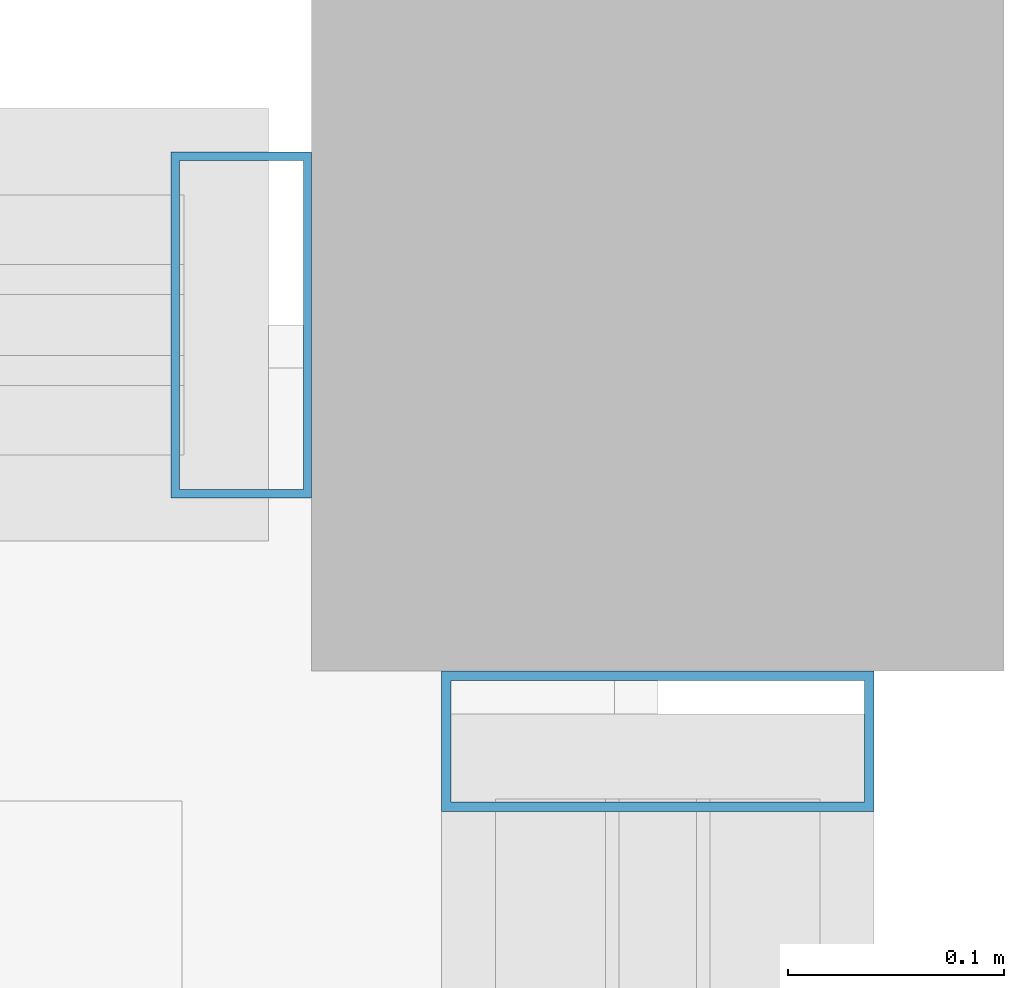
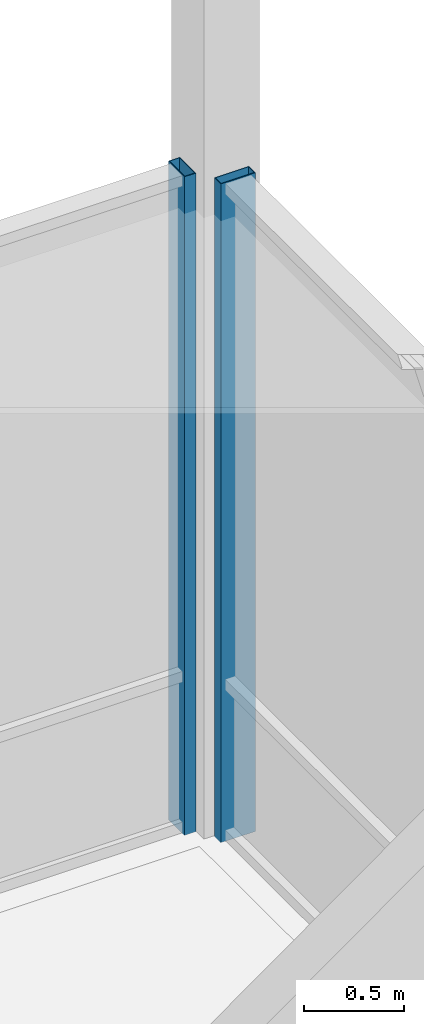
# One storey, part 57 of 115: 2 members, 2 elements without a shape of their own.
"""IFC4 building model written with IfcOpenShell, lengths in metres."""

from ifc_helpers import new_model, si_unit, direction, frame, origin, origin_2d, place, context, subcontext, project, spatial, hollow_rectangle, extrude, material, material_profile, profile_set, type_object, element, aggregate, save


model = new_model("IFC4")

# Units and contexts
model_context = context("Model", 3, precision=1e-05, world=origin(), true_north=direction((0.0, 1.0)))
body_context = subcontext(model_context, "Body", "Model", "MODEL_VIEW")
ifc_project = project(units=[si_unit("LENGTHUNIT", "METRE"), si_unit("AREAUNIT", "SQUARE_METRE"), si_unit("VOLUMEUNIT", "CUBIC_METRE"), si_unit("PLANEANGLEUNIT", "RADIAN"), si_unit("MASSUNIT", "GRAM", prefix="KILO")], contexts=[model_context])

# Site, building, storey
site_placement = place(None, origin())
site = spatial("IfcSite", under=ifc_project, at=site_placement, CompositionType="ELEMENT")
building_placement = place(site_placement, origin())
building = spatial("IfcBuilding", under=site, at=building_placement, Name="Hawrajan Terrace Health Centre", CompositionType="ELEMENT")
storey_placement = place(building_placement, frame((0.0, 0.0, 9.0)))
storey = spatial("IfcBuildingStorey", under=building, at=storey_placement, Name="L02", CompositionType="ELEMENT", Elevation=9.0)

# Curtain wall, member
ifc_material_1 = material(Name="Anodized bronze aluminium and low-E solar glazing", Category="aluminium")
curtain_wall_type_1 = type_object("IfcCurtainWallType", Name="CW_CourtNS_SeriesC3", PredefinedType="USERDEFINED", material=ifc_material_1)
curtain_wall_1_placement = place(storey_placement, origin())
curtain_wall_1 = element("IfcCurtainWall", 1, at=curtain_wall_1_placement, inside=storey, type_object=curtain_wall_type_1, Name="Curtain wall CW-L02-153", ObjectType="UNITISED CURTAIN WALL", PredefinedType="USERDEFINED")
ifc_material_2 = material(Name="Anodized bronze aluminium 6063-T6", Category="aluminium")
ifc_material_profile_1 = material_profile(ifc_material_2, hollow_rectangle(XDim=0.06494140625, YDim=0.159912109375, WallThickness=0.00390625, at=origin_2d()), Name="CW MUL 65x160")
ifc_profile_set_1 = profile_set([ifc_material_profile_1], Name="Anodized bronze aluminium 6063-T6")
member_type_1 = type_object("IfcMemberType", Name="CWMullion_65x160", PredefinedType="MULLION", material=ifc_profile_set_1)
member_1_placement = place(storey_placement, frame((165.20751953125, 27.199951171875, -0.0048828125), z_axis=(0.0, 0.0, 1.0), x_axis=(1.0, 0.0, 0.0)))
member_1 = element("IfcMember", 2, at=member_1_placement, type_object=member_type_1, Name="Mullion CW-L02-153-M4", PredefinedType="MULLION", context=body_context, shape_type="SweptSolid", body=[
    extrude(hollow_rectangle(XDim=0.06494140625, YDim=0.159912109375, WallThickness=0.00390625, at=origin_2d()), origin(), (0.0, 0.0, 1.0), 4.009765625),
])
aggregate(curtain_wall_1, [member_1])

curtain_wall_type_2 = type_object("IfcCurtainWallType", Name="CW_Hall_SeriesD1", PredefinedType="USERDEFINED", material=ifc_material_1)
curtain_wall_2_placement = place(storey_placement, origin())
curtain_wall_2 = element("IfcCurtainWall", 3, at=curtain_wall_2_placement, inside=storey, type_object=curtain_wall_type_2, Name="Curtain wall CW-L02-154", ObjectType="UNITISED CURTAIN WALL", PredefinedType="USERDEFINED")
ifc_material_profile_2 = material_profile(ifc_material_2, hollow_rectangle(XDim=0.06494140625, YDim=0.199951171875, WallThickness=0.00439453125, at=origin_2d()), Name="CW MUL 65x200")
ifc_profile_set_2 = profile_set([ifc_material_profile_2], Name="Anodized bronze aluminium 6063-T6")
member_type_2 = type_object("IfcMemberType", Name="CWMullion_65x200", PredefinedType="MULLION", material=ifc_profile_set_2)
member_2_placement = place(storey_placement, frame((165.39990234375, 27.007568359375, -0.0048828125), z_axis=(0.0, 0.0, 1.0), x_axis=(0.0, 1.0, 0.0)))
member_2 = element("IfcMember", 4, at=member_2_placement, type_object=member_type_2, Name="Mullion CW-L02-154-M4", PredefinedType="MULLION", context=body_context, shape_type="SweptSolid", body=[
    extrude(hollow_rectangle(XDim=0.06494140625, YDim=0.199951171875, WallThickness=0.00439453125, at=origin_2d()), origin(), (0.0, 0.0, 1.0), 4.009765625),
])
aggregate(curtain_wall_2, [member_2])

save(model, "model.ifc")
